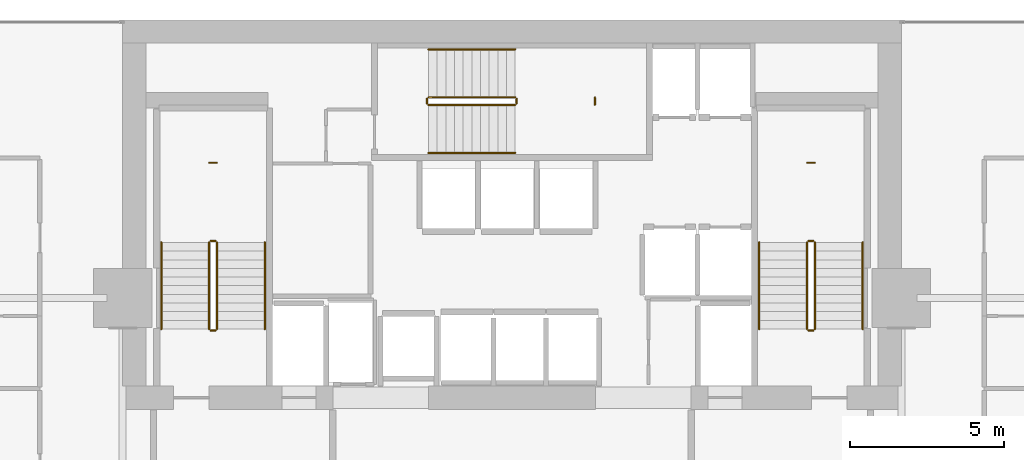
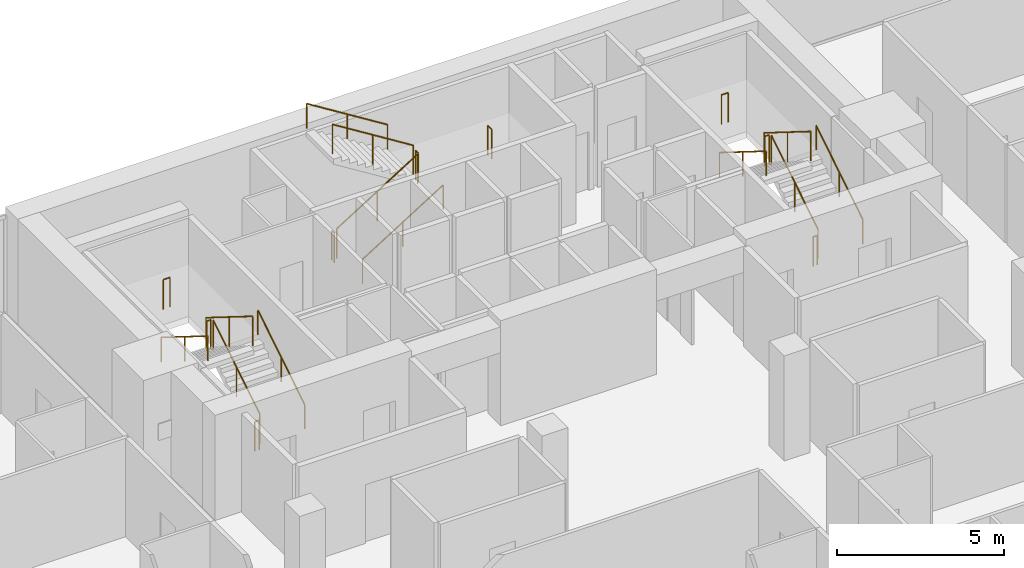
# One storey, part 33 of 33: 21 railings.
"""IFC4 building model written with IfcOpenShell, lengths in metres."""

from ifc_helpers import new_model, si_unit, direction, frame, origin, origin_2d, place, context, subcontext, project, spatial, circle, extrude, material, type_object, element, save


model = new_model("IFC4")

# Units and contexts
model_context = context("Model", 3, precision=1e-05, world=origin(), true_north=direction((0.0, 1.0)))
body_context = subcontext(model_context, "Body", "Model", "MODEL_VIEW")
ifc_project = project(units=[si_unit("LENGTHUNIT", "METRE"), si_unit("AREAUNIT", "SQUARE_METRE"), si_unit("VOLUMEUNIT", "CUBIC_METRE"), si_unit("PLANEANGLEUNIT", "RADIAN"), si_unit("MASSUNIT", "GRAM", prefix="KILO")], contexts=[model_context])

# Site, building, storey
site_placement = place(None, origin())
site = spatial("IfcSite", under=ifc_project, at=site_placement, CompositionType="ELEMENT")
building_placement = place(site_placement, origin())
building = spatial("IfcBuilding", under=site, at=building_placement, Name="Maruvema Waterfront Hotel and Observation Tower", CompositionType="ELEMENT")
storey_placement = place(building_placement, frame((0.0, 0.0, 154.35009765625)))
storey = spatial("IfcBuildingStorey", under=building, at=storey_placement, Name="L37", CompositionType="ELEMENT", Elevation=154.35009765625)

# Railings
ifc_material_1 = material(Name="Brushed stainless steel Grade 316", Category="steel")
railing_type_1 = type_object("IfcRailingType", Name="Ramp Continuous Wall Handrail 920 mm", PredefinedType="HANDRAIL", material=ifc_material_1)
railing_1_placement = place(storey_placement, frame((29.800048828125, 44.0, 0.1748046875)))
element("IfcRailing", 1, at=railing_1_placement, inside=storey, type_object=railing_type_1, Name="L37 ST-01 stair handrail 1", PredefinedType="HANDRAIL", context=body_context, shape_type="SweptSolid", body=[
    extrude(circle(Radius=0.02392578125, at=origin_2d()), frame((0.0, 0.0, 0.89599609375), z_axis=(0.0, 0.848002457836, 0.529992293815), x_axis=(-1.0, 0.0, 0.0)), (0.0, 0.0, 1.0), 3.302001953125),
    extrude(circle(Radius=0.02099609375, at=origin_2d()), origin(), (0.0, 0.0, 1.0), 0.871826171875),
    extrude(circle(Radius=0.02099609375, at=origin_2d()), frame((0.0, 1.39990234375, 0.875)), (0.0, 0.0, 1.0), 0.871826171875),
    extrude(circle(Radius=0.02099609375, at=origin_2d()), frame((0.0, 2.800048828125, 1.75)), (0.0, 0.0, 1.0), 0.871826171875),
])
railing_2_placement = place(storey_placement, frame((26.449951171875, 46.800048828125, 2.099853515625)))
element("IfcRailing", 2, at=railing_2_placement, inside=storey, type_object=railing_type_1, Name="L37 ST-01 stair handrail 2", PredefinedType="HANDRAIL", context=body_context, shape_type="SweptSolid", body=[
    extrude(circle(Radius=0.02392578125, at=origin_2d()), frame((0.0, 0.0, 0.89599609375), z_axis=(0.0, -0.848002457836, 0.529992293815), x_axis=(1.0, 0.0, 0.0)), (0.0, 0.0, 1.0), 3.302001953125),
    extrude(circle(Radius=0.02099609375, at=origin_2d()), origin(), (0.0, 0.0, 1.0), 0.871826171875),
    extrude(circle(Radius=0.02099609375, at=origin_2d()), frame((0.0, -1.39990234375, 0.875)), (0.0, 0.0, 1.0), 0.871826171875),
    extrude(circle(Radius=0.02099609375, at=origin_2d()), frame((0.0, -2.800048828125, 1.75)), (0.0, 0.0, 1.0), 0.871826171875),
])
railing_3_placement = place(storey_placement, frame((35.10009765625, 49.699951171875, 0.1748046875)))
element("IfcRailing", 3, at=railing_3_placement, inside=storey, type_object=railing_type_1, Name="L37 ST-02 stair handrail 1", PredefinedType="HANDRAIL", context=body_context, shape_type="SweptSolid", body=[
    extrude(circle(Radius=0.02392578125, at=origin_2d()), frame((0.0, 0.0, 0.89599609375), z_axis=(0.847981687118, 0.0, 0.530025526095), x_axis=(0.0, 1.0, 0.0)), (0.0, 0.0, 1.0), 3.3017578125),
    extrude(circle(Radius=0.02099609375, at=origin_2d()), origin(), (0.0, 0.0, 1.0), 0.871826171875),
    extrude(circle(Radius=0.02099609375, at=origin_2d()), frame((1.39990234375, 0.0, 0.875)), (0.0, 0.0, 1.0), 0.871826171875),
    extrude(circle(Radius=0.02099609375, at=origin_2d()), frame((2.7998046875, 0.0, 1.75)), (0.0, 0.0, 1.0), 0.871826171875),
])
railing_4_placement = place(storey_placement, frame((37.89990234375, 53.050048828125, 2.099853515625)))
element("IfcRailing", 4, at=railing_4_placement, inside=storey, type_object=railing_type_1, Name="L37 ST-02 stair handrail 2", PredefinedType="HANDRAIL", context=body_context, shape_type="SweptSolid", body=[
    extrude(circle(Radius=0.02392578125, at=origin_2d()), frame((0.0, 0.0, 0.89599609375), z_axis=(-0.847981687118, 0.0, 0.530025526095), x_axis=(0.0, -1.0, 0.0)), (0.0, 0.0, 1.0), 3.3017578125),
    extrude(circle(Radius=0.02099609375, at=origin_2d()), origin(), (0.0, 0.0, 1.0), 0.871826171875),
    extrude(circle(Radius=0.02099609375, at=origin_2d()), frame((-1.39990234375, 0.0, 0.875)), (0.0, 0.0, 1.0), 0.871826171875),
    extrude(circle(Radius=0.02099609375, at=origin_2d()), frame((-2.7998046875, 0.0, 1.75)), (0.0, 0.0, 1.0), 0.871826171875),
])
railing_5_placement = place(storey_placement, frame((49.14990234375, 44.0, 0.1748046875)))
element("IfcRailing", 5, at=railing_5_placement, inside=storey, type_object=railing_type_1, Name="L37 ST-03 stair handrail 1", PredefinedType="HANDRAIL", context=body_context, shape_type="SweptSolid", body=[
    extrude(circle(Radius=0.02392578125, at=origin_2d()), frame((0.0, 0.0, 0.89599609375), z_axis=(0.0, 0.848002457836, 0.529992293815), x_axis=(-1.0, 0.0, 0.0)), (0.0, 0.0, 1.0), 3.302001953125),
    extrude(circle(Radius=0.02099609375, at=origin_2d()), origin(), (0.0, 0.0, 1.0), 0.871826171875),
    extrude(circle(Radius=0.02099609375, at=origin_2d()), frame((0.0, 1.39990234375, 0.875)), (0.0, 0.0, 1.0), 0.871826171875),
    extrude(circle(Radius=0.02099609375, at=origin_2d()), frame((0.0, 2.800048828125, 1.75)), (0.0, 0.0, 1.0), 0.871826171875),
])
railing_6_placement = place(storey_placement, frame((45.800048828125, 46.800048828125, 2.099853515625)))
element("IfcRailing", 6, at=railing_6_placement, inside=storey, type_object=railing_type_1, Name="L37 ST-03 stair handrail 2", PredefinedType="HANDRAIL", context=body_context, shape_type="SweptSolid", body=[
    extrude(circle(Radius=0.02392578125, at=origin_2d()), frame((0.0, 0.0, 0.89599609375), z_axis=(0.0, -0.848002457836, 0.529992293815), x_axis=(1.0, 0.0, 0.0)), (0.0, 0.0, 1.0), 3.302001953125),
    extrude(circle(Radius=0.02099609375, at=origin_2d()), origin(), (0.0, 0.0, 1.0), 0.871826171875),
    extrude(circle(Radius=0.02099609375, at=origin_2d()), frame((0.0, -1.39990234375, 0.875)), (0.0, 0.0, 1.0), 0.871826171875),
    extrude(circle(Radius=0.02099609375, at=origin_2d()), frame((0.0, -2.800048828125, 1.75)), (0.0, 0.0, 1.0), 0.871826171875),
])
ifc_material_2 = material(Name="Brushed stainless steel Grade 316", Category="steel")
railing_type_2 = type_object("IfcRailingType", Name="Ramp and Terrace Guard Balustrade 1100 mm", PredefinedType="BALUSTRADE", material=ifc_material_2)
railing_7_placement = place(storey_placement, frame((28.25, 44.0, 0.1748046875)))
element("IfcRailing", 7, at=railing_7_placement, inside=storey, type_object=railing_type_2, Name="L37 ST-01 stair guard 1", PredefinedType="BALUSTRADE", context=body_context, shape_type="SweptSolid", body=[
    extrude(circle(Radius=0.02392578125, at=origin_2d()), frame((0.0, 0.0, 1.076171875), z_axis=(0.0, 0.848002457836, 0.529992293815), x_axis=(-1.0, 0.0, 0.0)), (0.0, 0.0, 1.0), 3.302001953125),
    extrude(circle(Radius=0.02099609375, at=origin_2d()), origin(), (0.0, 0.0, 1.0), 1.052001953125),
    extrude(circle(Radius=0.02099609375, at=origin_2d()), frame((0.0, 1.39990234375, 0.875)), (0.0, 0.0, 1.0), 1.052001953125),
    extrude(circle(Radius=0.02099609375, at=origin_2d()), frame((0.0, 2.800048828125, 1.75)), (0.0, 0.0, 1.0), 1.052001953125),
])
railing_8_placement = place(storey_placement, frame((28.199951171875, 46.85009765625, 1.9248046875)))
element("IfcRailing", 8, at=railing_8_placement, inside=storey, type_object=railing_type_2, Name="L37 ST-01 stair guard 2", PredefinedType="BALUSTRADE", context=body_context, shape_type="SweptSolid", body=[
    extrude(circle(Radius=0.02392578125, at=origin_2d()), frame((0.0, 0.0, 1.076171875), z_axis=(-1.0, 0.0, 0.0), x_axis=(0.0, -1.0, 0.0)), (0.0, 0.0, 1.0), 0.14990234375),
    extrude(circle(Radius=0.02099609375, at=origin_2d()), origin(), (0.0, 0.0, 1.0), 1.052001953125),
    extrude(circle(Radius=0.02099609375, at=origin_2d()), frame((-0.14990234375, 0.0, 0.0)), (0.0, 0.0, 1.0), 1.052001953125),
])
railing_9_placement = place(storey_placement, frame((28.0, 46.800048828125, 2.099853515625)))
element("IfcRailing", 9, at=railing_9_placement, inside=storey, type_object=railing_type_2, Name="L37 ST-01 stair guard 3", PredefinedType="BALUSTRADE", context=body_context, shape_type="SweptSolid", body=[
    extrude(circle(Radius=0.02392578125, at=origin_2d()), frame((0.0, 0.0, 1.076171875), z_axis=(0.0, -0.848002457836, 0.529992293815), x_axis=(1.0, 0.0, 0.0)), (0.0, 0.0, 1.0), 3.302001953125),
    extrude(circle(Radius=0.02099609375, at=origin_2d()), origin(), (0.0, 0.0, 1.0), 1.052001953125),
    extrude(circle(Radius=0.02099609375, at=origin_2d()), frame((0.0, -1.39990234375, 0.875)), (0.0, 0.0, 1.0), 1.052001953125),
    extrude(circle(Radius=0.02099609375, at=origin_2d()), frame((0.0, -2.800048828125, 1.75)), (0.0, 0.0, 1.0), 1.052001953125),
])
railing_10_placement = place(storey_placement, frame((28.199951171875, 43.949951171875, 0.0)))
element("IfcRailing", 10, at=railing_10_placement, inside=storey, type_object=railing_type_2, Name="L37 ST-01 stair guard 4", PredefinedType="BALUSTRADE", context=body_context, shape_type="SweptSolid", body=[
    extrude(circle(Radius=0.02392578125, at=origin_2d()), frame((0.0, 0.0, 1.076171875), z_axis=(-1.0, 0.0, 0.0), x_axis=(0.0, -1.0, 0.0)), (0.0, 0.0, 1.0), 0.14990234375),
    extrude(circle(Radius=0.02099609375, at=origin_2d()), origin(), (0.0, 0.0, 1.0), 1.052001953125),
    extrude(circle(Radius=0.02099609375, at=origin_2d()), frame((-0.14990234375, 0.0, 0.0)), (0.0, 0.0, 1.0), 1.052001953125),
])
railing_11_placement = place(storey_placement, frame((28.239990234375, 49.3798828125, 1.9248046875)))
element("IfcRailing", 11, at=railing_11_placement, inside=storey, type_object=railing_type_2, Name="L37 ST-01 Half-Landing Slot Guard", PredefinedType="BALUSTRADE", context=body_context, shape_type="SweptSolid", body=[
    extrude(circle(Radius=0.02392578125, at=origin_2d()), frame((0.0, 0.0, 1.076171875), z_axis=(-1.0, 0.0, 0.0), x_axis=(0.0, -1.0, 0.0)), (0.0, 0.0, 1.0), 0.22998046875),
    extrude(circle(Radius=0.02099609375, at=origin_2d()), origin(), (0.0, 0.0, 1.0), 1.052001953125),
    extrude(circle(Radius=0.02099609375, at=origin_2d()), frame((-0.22998046875, 0.0, 0.0)), (0.0, 0.0, 1.0), 1.052001953125),
])
railing_12_placement = place(storey_placement, frame((35.10009765625, 51.25, 0.1748046875)))
element("IfcRailing", 12, at=railing_12_placement, inside=storey, type_object=railing_type_2, Name="L37 ST-02 stair guard 1", PredefinedType="BALUSTRADE", context=body_context, shape_type="SweptSolid", body=[
    extrude(circle(Radius=0.02392578125, at=origin_2d()), frame((0.0, 0.0, 1.076171875), z_axis=(0.847981687118, 0.0, 0.530025526095), x_axis=(0.0, 1.0, 0.0)), (0.0, 0.0, 1.0), 3.3017578125),
    extrude(circle(Radius=0.02099609375, at=origin_2d()), origin(), (0.0, 0.0, 1.0), 1.052001953125),
    extrude(circle(Radius=0.02099609375, at=origin_2d()), frame((1.39990234375, 0.0, 0.875)), (0.0, 0.0, 1.0), 1.052001953125),
    extrude(circle(Radius=0.02099609375, at=origin_2d()), frame((2.7998046875, 0.0, 1.75)), (0.0, 0.0, 1.0), 1.052001953125),
])
railing_13_placement = place(storey_placement, frame((37.949951171875, 51.300048828125, 1.9248046875)))
element("IfcRailing", 13, at=railing_13_placement, inside=storey, type_object=railing_type_2, Name="L37 ST-02 stair guard 2", PredefinedType="BALUSTRADE", context=body_context, shape_type="SweptSolid", body=[
    extrude(circle(Radius=0.02392578125, at=origin_2d()), frame((0.0, 0.0, 1.076171875), z_axis=(0.0, 1.0, 0.0), x_axis=(-1.0, 0.0, 0.0)), (0.0, 0.0, 1.0), 0.14990234375),
    extrude(circle(Radius=0.02099609375, at=origin_2d()), origin(), (0.0, 0.0, 1.0), 1.052001953125),
    extrude(circle(Radius=0.02099609375, at=origin_2d()), frame((0.0, 0.14990234375, 0.0)), (0.0, 0.0, 1.0), 1.052001953125),
])
railing_14_placement = place(storey_placement, frame((37.89990234375, 51.5, 2.099853515625)))
element("IfcRailing", 14, at=railing_14_placement, inside=storey, type_object=railing_type_2, Name="L37 ST-02 stair guard 3", PredefinedType="BALUSTRADE", context=body_context, shape_type="SweptSolid", body=[
    extrude(circle(Radius=0.02392578125, at=origin_2d()), frame((0.0, 0.0, 1.076171875), z_axis=(-0.847981687118, 0.0, 0.530025526095), x_axis=(0.0, -1.0, 0.0)), (0.0, 0.0, 1.0), 3.3017578125),
    extrude(circle(Radius=0.02099609375, at=origin_2d()), origin(), (0.0, 0.0, 1.0), 1.052001953125),
    extrude(circle(Radius=0.02099609375, at=origin_2d()), frame((-1.39990234375, 0.0, 0.875)), (0.0, 0.0, 1.0), 1.052001953125),
    extrude(circle(Radius=0.02099609375, at=origin_2d()), frame((-2.7998046875, 0.0, 1.75)), (0.0, 0.0, 1.0), 1.052001953125),
])
railing_15_placement = place(storey_placement, frame((35.050048828125, 51.300048828125, 0.0)))
element("IfcRailing", 15, at=railing_15_placement, inside=storey, type_object=railing_type_2, Name="L37 ST-02 stair guard 4", PredefinedType="BALUSTRADE", context=body_context, shape_type="SweptSolid", body=[
    extrude(circle(Radius=0.02392578125, at=origin_2d()), frame((0.0, 0.0, 1.076171875), z_axis=(0.0, 1.0, 0.0), x_axis=(-1.0, 0.0, 0.0)), (0.0, 0.0, 1.0), 0.14990234375),
    extrude(circle(Radius=0.02099609375, at=origin_2d()), origin(), (0.0, 0.0, 1.0), 1.052001953125),
    extrude(circle(Radius=0.02099609375, at=origin_2d()), frame((0.0, 0.14990234375, 0.0)), (0.0, 0.0, 1.0), 1.052001953125),
])
railing_16_placement = place(storey_placement, frame((40.47998046875, 51.260009765625, 1.9248046875)))
element("IfcRailing", 16, at=railing_16_placement, inside=storey, type_object=railing_type_2, Name="L37 ST-02 Half-Landing Slot Guard", PredefinedType="BALUSTRADE", context=body_context, shape_type="SweptSolid", body=[
    extrude(circle(Radius=0.02392578125, at=origin_2d()), frame((0.0, 0.0, 1.076171875), z_axis=(0.0, 1.0, 0.0), x_axis=(-1.0, 0.0, 0.0)), (0.0, 0.0, 1.0), 0.22998046875),
    extrude(circle(Radius=0.02099609375, at=origin_2d()), origin(), (0.0, 0.0, 1.0), 1.052001953125),
    extrude(circle(Radius=0.02099609375, at=origin_2d()), frame((0.0, 0.22998046875, 0.0)), (0.0, 0.0, 1.0), 1.052001953125),
])
railing_17_placement = place(storey_placement, frame((47.60009765625, 44.0, 0.1748046875)))
element("IfcRailing", 17, at=railing_17_placement, inside=storey, type_object=railing_type_2, Name="L37 ST-03 stair guard 1", PredefinedType="BALUSTRADE", context=body_context, shape_type="SweptSolid", body=[
    extrude(circle(Radius=0.02392578125, at=origin_2d()), frame((0.0, 0.0, 1.076171875), z_axis=(0.0, 0.848002457836, 0.529992293815), x_axis=(-1.0, 0.0, 0.0)), (0.0, 0.0, 1.0), 3.302001953125),
    extrude(circle(Radius=0.02099609375, at=origin_2d()), origin(), (0.0, 0.0, 1.0), 1.052001953125),
    extrude(circle(Radius=0.02099609375, at=origin_2d()), frame((0.0, 1.39990234375, 0.875)), (0.0, 0.0, 1.0), 1.052001953125),
    extrude(circle(Radius=0.02099609375, at=origin_2d()), frame((0.0, 2.800048828125, 1.75)), (0.0, 0.0, 1.0), 1.052001953125),
])
railing_18_placement = place(storey_placement, frame((47.550048828125, 46.85009765625, 1.9248046875)))
element("IfcRailing", 18, at=railing_18_placement, inside=storey, type_object=railing_type_2, Name="L37 ST-03 stair guard 2", PredefinedType="BALUSTRADE", context=body_context, shape_type="SweptSolid", body=[
    extrude(circle(Radius=0.02392578125, at=origin_2d()), frame((0.0, 0.0, 1.076171875), z_axis=(-1.0, 0.0, 0.0), x_axis=(0.0, -1.0, 0.0)), (0.0, 0.0, 1.0), 0.150146484375),
    extrude(circle(Radius=0.02099609375, at=origin_2d()), origin(), (0.0, 0.0, 1.0), 1.052001953125),
    extrude(circle(Radius=0.02099609375, at=origin_2d()), frame((-0.150146484375, 0.0, 0.0)), (0.0, 0.0, 1.0), 1.052001953125),
])
railing_19_placement = place(storey_placement, frame((47.35009765625, 46.800048828125, 2.099853515625)))
element("IfcRailing", 19, at=railing_19_placement, inside=storey, type_object=railing_type_2, Name="L37 ST-03 stair guard 3", PredefinedType="BALUSTRADE", context=body_context, shape_type="SweptSolid", body=[
    extrude(circle(Radius=0.02392578125, at=origin_2d()), frame((0.0, 0.0, 1.076171875), z_axis=(0.0, -0.848002457836, 0.529992293815), x_axis=(1.0, 0.0, 0.0)), (0.0, 0.0, 1.0), 3.302001953125),
    extrude(circle(Radius=0.02099609375, at=origin_2d()), origin(), (0.0, 0.0, 1.0), 1.052001953125),
    extrude(circle(Radius=0.02099609375, at=origin_2d()), frame((0.0, -1.39990234375, 0.875)), (0.0, 0.0, 1.0), 1.052001953125),
    extrude(circle(Radius=0.02099609375, at=origin_2d()), frame((0.0, -2.800048828125, 1.75)), (0.0, 0.0, 1.0), 1.052001953125),
])
railing_20_placement = place(storey_placement, frame((47.550048828125, 43.949951171875, 0.0)))
element("IfcRailing", 20, at=railing_20_placement, inside=storey, type_object=railing_type_2, Name="L37 ST-03 stair guard 4", PredefinedType="BALUSTRADE", context=body_context, shape_type="SweptSolid", body=[
    extrude(circle(Radius=0.02392578125, at=origin_2d()), frame((0.0, 0.0, 1.076171875), z_axis=(-1.0, 0.0, 0.0), x_axis=(0.0, -1.0, 0.0)), (0.0, 0.0, 1.0), 0.150146484375),
    extrude(circle(Radius=0.02099609375, at=origin_2d()), origin(), (0.0, 0.0, 1.0), 1.052001953125),
    extrude(circle(Radius=0.02099609375, at=origin_2d()), frame((-0.150146484375, 0.0, 0.0)), (0.0, 0.0, 1.0), 1.052001953125),
])
railing_21_placement = place(storey_placement, frame((47.590087890625, 49.3798828125, 1.9248046875)))
element("IfcRailing", 21, at=railing_21_placement, inside=storey, type_object=railing_type_2, Name="L37 ST-03 Half-Landing Slot Guard", PredefinedType="BALUSTRADE", context=body_context, shape_type="SweptSolid", body=[
    extrude(circle(Radius=0.02392578125, at=origin_2d()), frame((0.0, 0.0, 1.076171875), z_axis=(-1.0, 0.0, 0.0), x_axis=(0.0, -1.0, 0.0)), (0.0, 0.0, 1.0), 0.22998046875),
    extrude(circle(Radius=0.02099609375, at=origin_2d()), origin(), (0.0, 0.0, 1.0), 1.052001953125),
    extrude(circle(Radius=0.02099609375, at=origin_2d()), frame((-0.22998046875, 0.0, 0.0)), (0.0, 0.0, 1.0), 1.052001953125),
])

save(model, "model.ifc")
